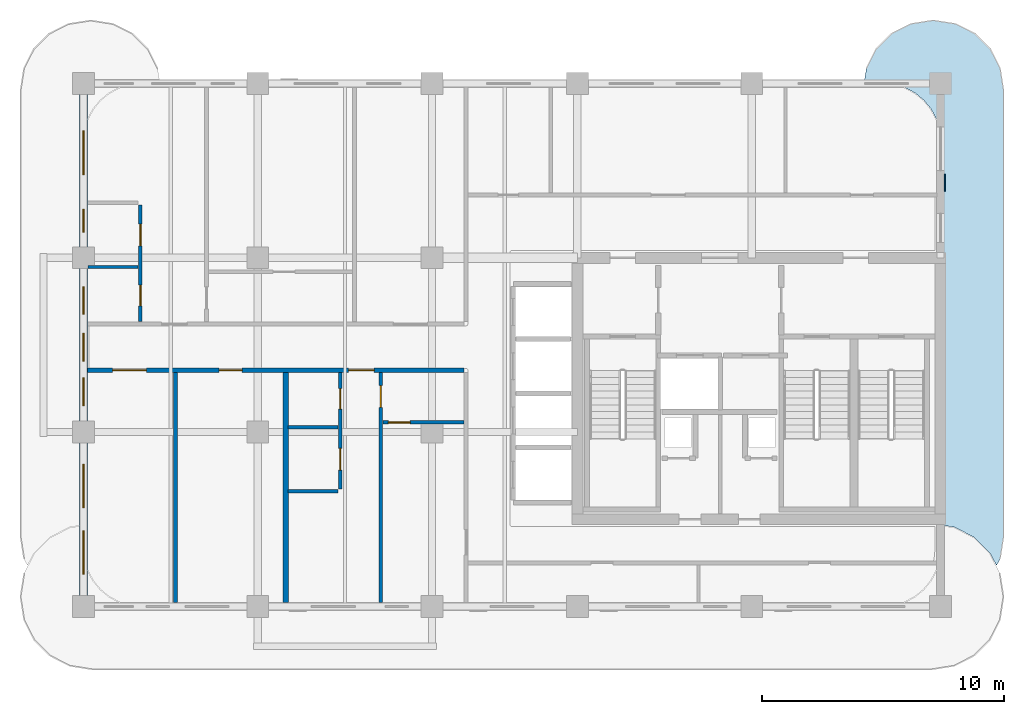
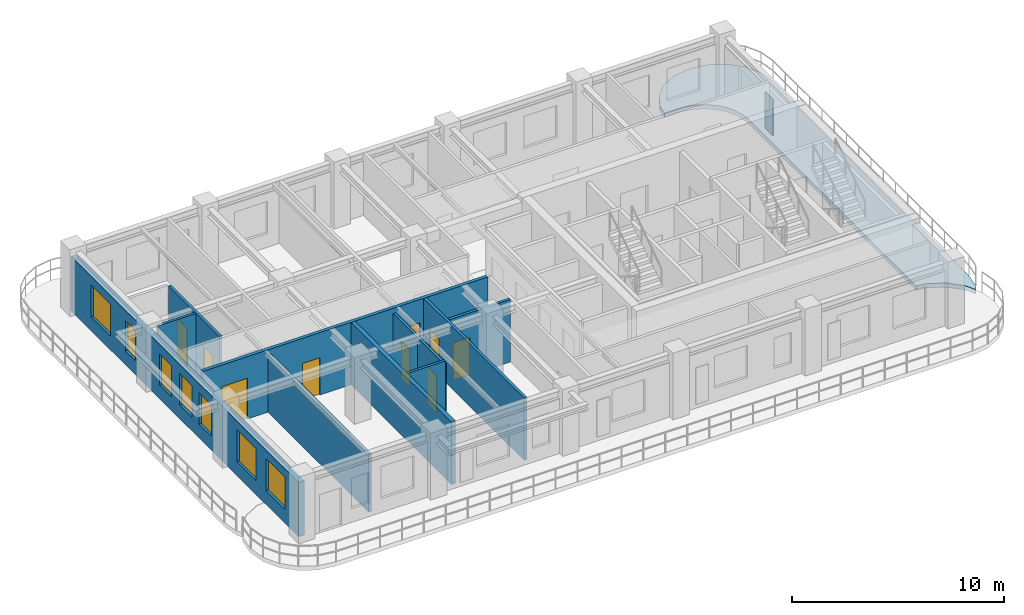
# One storey, part 2 of 8: 11 walls, 9 doors, 7 windows, 1 plate, 1 slab, 16 openings.
"""IFC4 building model written with IfcOpenShell, lengths in metres."""

from ifc_helpers import new_model, si_unit, derived_unit, direction, frame, frame_2d, origin, origin_2d, place, context, subcontext, project, spatial, polyline, rectangle, outline, extrude, source, transform, mapped, material, layer, layer_set, type_object, type_shapes, element, fill, save


model = new_model("IFC4")

# Units and contexts
model_context = context("Model", 3, precision=1e-05, world=origin(), true_north=direction((0.0, 1.0)))
body_context = subcontext(model_context, "Body", "Model", "MODEL_VIEW")
ifc_project = project(units=[si_unit("LENGTHUNIT", "METRE"), si_unit("AREAUNIT", "SQUARE_METRE"), si_unit("VOLUMEUNIT", "CUBIC_METRE"), si_unit("PLANEANGLEUNIT", "RADIAN"), si_unit("MASSUNIT", "GRAM", prefix="KILO"), si_unit("THERMODYNAMICTEMPERATUREUNIT", "KELVIN"), si_unit("POWERUNIT", "WATT"), derived_unit("THERMALTRANSMITTANCEUNIT", [(si_unit("POWERUNIT", "WATT"), 1), (si_unit("AREAUNIT", "SQUARE_METRE"), -1), (si_unit("THERMODYNAMICTEMPERATUREUNIT", "KELVIN"), -1)])], contexts=[model_context])

# Site, building, storey
site_placement = place(None, origin())
site = spatial("IfcSite", under=ifc_project, at=site_placement, CompositionType="ELEMENT")
building_placement = place(site_placement, origin())
building = spatial("IfcBuilding", under=site, at=building_placement, Name="Zahravan Archway Hotel and Residences", CompositionType="ELEMENT")
storey_placement = place(building_placement, frame((0.0, 0.0, 232.699951171875)))
storey = spatial("IfcBuildingStorey", under=building, at=storey_placement, Name="L58", CompositionType="ELEMENT", Elevation=232.699951171875)

# Slab
ifc_material_1 = material(Name="Concrete C45/55", Category="concrete")
ifc_layer_1 = layer(ifc_material_1, 0.25, Name="Concrete C45/55", Category="concrete")
ifc_layer_set_1 = layer_set([ifc_layer_1], Name="Concrete C45/55")
slab_type = type_object("IfcSlabType", Name="SLB-BALC-250", PredefinedType="FLOOR", material=ifc_layer_set_1)
slab_placement = place(storey_placement, frame((0.0, 0.0, -0.25)))
element("IfcSlab", 1, at=slab_placement, inside=storey, type_object=slab_type, Name="L58 Wing A East Rounded Balcony Band", PredefinedType="FLOOR", context=body_context, shape_type="SweptSolid", body=[
    extrude(outline(polyline([(46.739501953125, 22.230712890625), (47.144287109375, 23.025146484375), (47.77490234375, 23.65576171875), (48.5693359375, 24.060546875), (49.449951171875, 24.199951171875), (49.550048828125, 24.199951171875), (50.4306640625, 24.060546875), (51.22509765625, 23.65576171875), (51.855712890625, 23.025146484375), (52.260498046875, 22.230712890625), (52.39990234375, 21.35009765625), (52.39990234375, 2.85009765625), (52.260498046875, 1.96923828125), (52.114501953125, 1.6826171875), (51.8544921875, 2.193115234375), (51.853515625, 2.19482421875), (51.85205078125, 2.196533203125), (51.8505859375, 2.197998046875), (51.197998046875, 2.8505859375), (51.196533203125, 2.85205078125), (51.19482421875, 2.853515625), (51.193115234375, 2.8544921875), (50.37060546875, 3.2734375), (50.368896484375, 3.2744140625), (50.36669921875, 3.27490234375), (50.36474609375, 3.275390625), (49.822998046875, 3.361083984375), (49.8212890625, 3.361328125), (49.820068359375, 3.361328125), (49.820068359375, 19.199951171875), (49.81982421875, 19.201904296875), (49.773681640625, 19.670166015625), (49.7734375, 19.672119140625), (49.77294921875, 19.674072265625), (49.636474609375, 20.124267578125), (49.6357421875, 20.126220703125), (49.635009765625, 20.127685546875), (49.4130859375, 20.542724609375), (49.412109375, 20.54443359375), (49.410888671875, 20.546142578125), (49.112548828125, 20.909912109375), (49.111083984375, 20.9111328125), (49.10986328125, 20.91259765625), (48.74609375, 21.2109375), (48.744384765625, 21.212158203125), (48.742919921875, 21.213134765625), (48.327880859375, 21.434814453125), (48.326171875, 21.435791015625), (48.32421875, 21.436279296875), (47.8740234375, 21.572998046875), (47.8720703125, 21.573486328125), (47.8701171875, 21.57373046875), (47.402099609375, 21.619873046875), (47.39990234375, 21.6201171875), (46.642822265625, 21.6201171875), (46.739501953125, 22.230712890625)])), origin(), (0.0, 0.0, 1.0), 0.25),
])

# Plate
ifc_material_2 = material(Name="Perforated Cast Bronze Jali Lattice")
ifc_layer_2 = layer(ifc_material_2, 0.044921875, Name="Perforated Cast Bronze Jali Lattice")
ifc_layer_set_2 = layer_set([ifc_layer_2], Name="Perforated Cast Bronze Jali Lattice")
plate_type = type_object("IfcPlateType", Name="PLT-JALI-BAY", PredefinedType="USERDEFINED", material=ifc_layer_set_2)
shared_shape_1 = source(origin(), body_context, "Body", "SweptSolid", [
    extrude(rectangle(XDim=0.699951171875, YDim=0.044921875, at=origin_2d()), origin(), (0.0, 0.0, 1.0), 2.10009765625),
])
type_shapes(plate_type, [shared_shape_1])
plate_placement = place(storey_placement, frame((49.97802734375, 17.509033203125, 0.25), z_axis=(0.0, 0.0, 1.0), x_axis=(0.0, 1.0, 0.0)))
element("IfcPlate", 2, at=plate_placement, inside=storey, type_object=plate_type, Name="L58 Perforated Bronze Jali Pier Screen 05", ObjectType="SCREEN", PredefinedType="USERDEFINED", context=body_context, shape_type="MappedRepresentation", body=[
    mapped(shared_shape_1, transform((0.0, 0.0, 0.0), scale=1.0)),
])

# Wall, openings, windows
ifc_material_3 = material(Name="Agra Buff Sandstone & Insulated Backup", Category="masonry")
ifc_layer_3 = layer(ifc_material_3, 0.320068359375, Name="Agra Buff Sandstone & Insulated Backup", Category="masonry")
ifc_layer_set_3 = layer_set([ifc_layer_3], Name="Agra Buff Sandstone & Insulated Backup")
wall_type_1 = type_object("IfcWallType", Name="EW-SAND-320", PredefinedType="SOLIDWALL", material=ifc_layer_set_3)
wall_1_placement = place(storey_placement, frame((14.39990234375, 0.050048828125, 0.0), z_axis=(0.0, 0.0, 1.0), x_axis=(0.0, 1.0, 0.0)))
wall_1 = element("IfcWall", 3, at=wall_1_placement, inside=storey, type_object=wall_type_1, Name="L58 Exterior Sandstone Wall WA-W", PredefinedType="SOLIDWALL", context=body_context, shape_type="SweptSolid", body=[
    extrude(rectangle(XDim=21.5, YDim=0.320068359375, at=frame_2d((10.75, 0.0))), origin(), (0.0, 0.0, 1.0), 3.135009765625),
])
opening_1_placement = place(wall_1_placement, frame((1.27490234375, 0.0, 0.800048828125)))
opening_1 = element("IfcOpeningElement", 4, at=opening_1_placement, cuts=wall_1, Name="Opening W-02", PredefinedType="OPENING", context=body_context, shape_type="SweptSolid", body=[
    extrude(rectangle(XDim=1.800048828125, YDim=1.85009765625, at=frame_2d((0.89990234375, 0.925048828125))), frame((0.0, 0.169921875, 0.0), z_axis=(0.0, -1.0, 0.0), x_axis=(1.0, 0.0, 0.0)), (0.0, 0.0, 1.0), 0.340087890625),
])
opening_2_placement = place(wall_1_placement, frame((4.02490234375, 0.0, 0.800048828125)))
opening_2 = element("IfcOpeningElement", 5, at=opening_2_placement, cuts=wall_1, Name="Opening W-02", PredefinedType="OPENING", context=body_context, shape_type="SweptSolid", body=[
    extrude(rectangle(XDim=1.800048828125, YDim=1.85009765625, at=frame_2d((0.89990234375, 0.925048828125))), frame((0.0, 0.169921875, 0.0), z_axis=(0.0, -1.0, 0.0), x_axis=(1.0, 0.0, 0.0)), (0.0, 0.0, 1.0), 0.340087890625),
])
opening_3_placement = place(wall_1_placement, frame((8.24609375, 0.0, 0.800048828125)))
opening_3 = element("IfcOpeningElement", 6, at=opening_3_placement, cuts=wall_1, Name="Opening W-05", PredefinedType="OPENING", context=body_context, shape_type="SweptSolid", body=[
    extrude(rectangle(XDim=1.14990234375, YDim=1.800048828125, at=frame_2d((0.574951171875, 0.89990234375))), frame((0.0, 0.169921875, 0.0), z_axis=(0.0, -1.0, 0.0), x_axis=(1.0, 0.0, 0.0)), (0.0, 0.0, 1.0), 0.340087890625),
])
opening_4_placement = place(wall_1_placement, frame((10.0849609375, 0.0, 0.800048828125)))
opening_4 = element("IfcOpeningElement", 7, at=opening_4_placement, cuts=wall_1, Name="Opening W-05", PredefinedType="OPENING", context=body_context, shape_type="SweptSolid", body=[
    extrude(rectangle(XDim=1.14990234375, YDim=1.800048828125, at=frame_2d((0.574951171875, 0.89990234375))), frame((0.0, 0.169921875, 0.0), z_axis=(0.0, -1.0, 0.0), x_axis=(1.0, 0.0, 0.0)), (0.0, 0.0, 1.0), 0.340087890625),
])
opening_5_placement = place(wall_1_placement, frame((12.013916015625, 0.0, 0.800048828125)))
opening_5 = element("IfcOpeningElement", 8, at=opening_5_placement, cuts=wall_1, Name="Opening W-05", PredefinedType="OPENING", context=body_context, shape_type="SweptSolid", body=[
    extrude(rectangle(XDim=1.14990234375, YDim=1.800048828125, at=frame_2d((0.574951171875, 0.89990234375))), frame((0.0, 0.169921875, 0.0), z_axis=(0.0, -1.0, 0.0), x_axis=(1.0, 0.0, 0.0)), (0.0, 0.0, 1.0), 0.340087890625),
])
opening_6_placement = place(wall_1_placement, frame((15.406005859375, 0.0, 0.800048828125)))
opening_6 = element("IfcOpeningElement", 9, at=opening_6_placement, cuts=wall_1, Name="Opening W-04", PredefinedType="OPENING", context=body_context, shape_type="SweptSolid", body=[
    extrude(rectangle(XDim=0.949951171875, YDim=1.75, at=frame_2d((0.47509765625, 0.875))), frame((0.0, 0.169921875, 0.0), z_axis=(0.0, -1.0, 0.0), x_axis=(1.0, 0.0, 0.0)), (0.0, 0.0, 1.0), 0.340087890625),
])
opening_7_placement = place(wall_1_placement, frame((17.7890625, 0.0, 0.800048828125)))
opening_7 = element("IfcOpeningElement", 10, at=opening_7_placement, cuts=wall_1, Name="Opening W-02", PredefinedType="OPENING", context=body_context, shape_type="SweptSolid", body=[
    extrude(rectangle(XDim=1.800048828125, YDim=1.85009765625, at=frame_2d((0.89990234375, 0.925048828125))), frame((0.0, 0.169921875, 0.0), z_axis=(0.0, -1.0, 0.0), x_axis=(1.0, 0.0, 0.0)), (0.0, 0.0, 1.0), 0.340087890625),
])
ifc_material_4 = material(Name="Bronze-Anodized Thermal-Break Aluminium & Low-E Glass", Category="aluminium")
window_type_1 = type_object("IfcWindowType", Name="WIN-NAR-950", PartitioningType="SINGLE_PANEL", PredefinedType="WINDOW", material=ifc_material_4)
shared_shape_2 = source(origin(), body_context, "Body", "SweptSolid", [
    extrude(rectangle(XDim=0.949951171875, YDim=1.75, at=frame_2d((0.47509765625, 0.875))), frame((0.0, 0.030029296875, 0.0), z_axis=(0.0, -1.0, 0.0), x_axis=(1.0, 0.0, 0.0)), (0.0, 0.0, 1.0), 0.06005859375),
])
type_shapes(window_type_1, [shared_shape_2])
window_1_placement = place(opening_6_placement, origin())
window_1 = element("IfcWindow", 11, at=window_1_placement, inside=storey, type_object=window_type_1, Name="L58 Loggia Window 25", OverallHeight=1.75, OverallWidth=0.949951171875, PartitioningType="SINGLE_PANEL", PredefinedType="WINDOW", context=body_context, shape_type="MappedRepresentation", body=[
    mapped(shared_shape_2, transform((0.0, 0.0, 0.0), scale=1.0)),
])
fill(opening_6, window_1)
window_type_2 = type_object("IfcWindowType", Name="WIN-TWR-1800", PartitioningType="DOUBLE_PANEL_VERTICAL", PredefinedType="WINDOW", material=ifc_material_4)
shared_shape_3 = source(origin(), body_context, "Body", "SweptSolid", [
    extrude(rectangle(XDim=1.800048828125, YDim=1.85009765625, at=frame_2d((0.89990234375, 0.925048828125))), frame((0.0, 0.030029296875, 0.0), z_axis=(0.0, -1.0, 0.0), x_axis=(1.0, 0.0, 0.0)), (0.0, 0.0, 1.0), 0.06005859375),
])
type_shapes(window_type_2, [shared_shape_3])
window_2_placement = place(opening_1_placement, origin())
window_2 = element("IfcWindow", 12, at=window_2_placement, inside=storey, type_object=window_type_2, Name="L58 Loggia Window 20", OverallHeight=1.85009765625, OverallWidth=1.800048828125, PartitioningType="DOUBLE_PANEL_VERTICAL", PredefinedType="WINDOW", context=body_context, shape_type="MappedRepresentation", body=[
    mapped(shared_shape_3, transform((0.0, 0.0, 0.0), scale=1.0)),
])
fill(opening_1, window_2)
window_3_placement = place(opening_2_placement, origin())
window_3 = element("IfcWindow", 13, at=window_3_placement, inside=storey, type_object=window_type_2, Name="L58 Loggia Window 21", OverallHeight=1.85009765625, OverallWidth=1.800048828125, PartitioningType="DOUBLE_PANEL_VERTICAL", PredefinedType="WINDOW", context=body_context, shape_type="MappedRepresentation", body=[
    mapped(shared_shape_3, transform((0.0, 0.0, 0.0), scale=1.0)),
])
fill(opening_2, window_3)
window_4_placement = place(opening_7_placement, origin())
window_4 = element("IfcWindow", 14, at=window_4_placement, inside=storey, type_object=window_type_2, Name="L58 Loggia Window 26", OverallHeight=1.85009765625, OverallWidth=1.800048828125, PartitioningType="DOUBLE_PANEL_VERTICAL", PredefinedType="WINDOW", context=body_context, shape_type="MappedRepresentation", body=[
    mapped(shared_shape_3, transform((0.0, 0.0, 0.0), scale=1.0)),
])
fill(opening_7, window_4)
window_type_3 = type_object("IfcWindowType", Name="WIN-TWR-1150", PartitioningType="SINGLE_PANEL", PredefinedType="WINDOW", material=ifc_material_4)
shared_shape_4 = source(origin(), body_context, "Body", "SweptSolid", [
    extrude(rectangle(XDim=1.14990234375, YDim=1.800048828125, at=frame_2d((0.574951171875, 0.89990234375))), frame((0.0, 0.030029296875, 0.0), z_axis=(0.0, -1.0, 0.0), x_axis=(1.0, 0.0, 0.0)), (0.0, 0.0, 1.0), 0.06005859375),
])
type_shapes(window_type_3, [shared_shape_4])
window_5_placement = place(opening_3_placement, origin())
window_5 = element("IfcWindow", 15, at=window_5_placement, inside=storey, type_object=window_type_3, Name="L58 Loggia Window 22", OverallHeight=1.800048828125, OverallWidth=1.14990234375, PartitioningType="SINGLE_PANEL", PredefinedType="WINDOW", context=body_context, shape_type="MappedRepresentation", body=[
    mapped(shared_shape_4, transform((0.0, 0.0, 0.0), scale=1.0)),
])
fill(opening_3, window_5)
window_6_placement = place(opening_4_placement, origin())
window_6 = element("IfcWindow", 16, at=window_6_placement, inside=storey, type_object=window_type_3, Name="L58 Loggia Window 23", OverallHeight=1.800048828125, OverallWidth=1.14990234375, PartitioningType="SINGLE_PANEL", PredefinedType="WINDOW", context=body_context, shape_type="MappedRepresentation", body=[
    mapped(shared_shape_4, transform((0.0, 0.0, 0.0), scale=1.0)),
])
fill(opening_4, window_6)
window_7_placement = place(opening_5_placement, origin())
window_7 = element("IfcWindow", 17, at=window_7_placement, inside=storey, type_object=window_type_3, Name="L58 Loggia Window 24", OverallHeight=1.800048828125, OverallWidth=1.14990234375, PartitioningType="SINGLE_PANEL", PredefinedType="WINDOW", context=body_context, shape_type="MappedRepresentation", body=[
    mapped(shared_shape_4, transform((0.0, 0.0, 0.0), scale=1.0)),
])
fill(opening_5, window_7)

# Wall
ifc_material_5 = material(Name="Fire-Rated Gypsum & Concrete Block", Category="concrete")
ifc_layer_4 = layer(ifc_material_5, 0.219970703125, Name="Fire-Rated Gypsum & Concrete Block", Category="concrete")
ifc_layer_set_4 = layer_set([ifc_layer_4], Name="Fire-Rated Gypsum & Concrete Block")
wall_type_2 = type_object("IfcWallType", Name="PW-COMP-220", PredefinedType="PARTITIONING", material=ifc_layer_set_4)
wall_2_placement = place(storey_placement, frame((22.75, 0.16796875, 0.0), z_axis=(0.0, 0.0, 1.0), x_axis=(0.0, 1.0, 0.0)))
element("IfcWall", 18, at=wall_2_placement, inside=storey, type_object=wall_type_2, Name="L58 Partition WAS-R2B", PredefinedType="PARTITIONING", context=body_context, shape_type="SweptSolid", body=[
    extrude(rectangle(XDim=9.491943359375, YDim=0.219970703125, at=frame_2d((4.74609375, 0.0))), origin(), (0.0, 0.0, 1.0), 3.60009765625),
])

# Wall, openings, doors
ifc_layer_5 = layer(ifc_material_5, 0.179931640625, Name="Fire-Rated Gypsum & Concrete Block", Category="concrete")
ifc_layer_set_5 = layer_set([ifc_layer_5], Name="Fire-Rated Gypsum & Concrete Block")
wall_type_3 = type_object("IfcWallType", Name="PW-CORR-180", PredefinedType="PARTITIONING", material=ifc_layer_set_5)
wall_3_placement = place(storey_placement, frame((14.568115234375, 9.75, 0.0), z_axis=(0.0, 0.0, 1.0), x_axis=(1.0, 0.0, 0.0)))
wall_3 = element("IfcWall", 19, at=wall_3_placement, inside=storey, type_object=wall_type_3, Name="L58 Partition WA-CS", PredefinedType="PARTITIONING", context=body_context, shape_type="SweptSolid", body=[
    extrude(rectangle(XDim=15.5419921875, YDim=0.179931640625, at=frame_2d((7.77099609375, 0.0))), origin(), (0.0, 0.0, 1.0), 3.60009765625),
])
opening_8_placement = place(wall_3_placement, frame((1.031982421875, 0.0, 0.0)))
opening_8 = element("IfcOpeningElement", 20, at=opening_8_placement, cuts=wall_3, Name="Opening D-P1", PredefinedType="OPENING", context=body_context, shape_type="SweptSolid", body=[
    extrude(rectangle(XDim=1.39990234375, YDim=2.35009765625, at=frame_2d((0.699951171875, 1.175048828125))), frame((0.0, 0.10009765625, 0.0), z_axis=(0.0, -1.0, 0.0), x_axis=(1.0, 0.0, 0.0)), (0.0, 0.0, 1.0), 0.199951171875),
])
opening_9_placement = place(wall_3_placement, frame((5.431884765625, 0.0, 0.0)))
opening_9 = element("IfcOpeningElement", 21, at=opening_9_placement, cuts=wall_3, Name="Opening D-I1", PredefinedType="OPENING", context=body_context, shape_type="SweptSolid", body=[
    extrude(rectangle(XDim=0.949951171875, YDim=2.14990234375, at=frame_2d((0.47509765625, 1.074951171875))), frame((0.0, 0.10009765625, 0.0), z_axis=(0.0, -1.0, 0.0), x_axis=(1.0, 0.0, 0.0)), (0.0, 0.0, 1.0), 0.199951171875),
])
opening_10_placement = place(wall_3_placement, frame((10.787109375, 0.0, 0.0)))
opening_10 = element("IfcOpeningElement", 22, at=opening_10_placement, cuts=wall_3, Name="Opening D-U1", PredefinedType="OPENING", context=body_context, shape_type="SweptSolid", body=[
    extrude(rectangle(XDim=1.050048828125, YDim=2.25, at=frame_2d((0.52490234375, 1.125))), frame((0.0, 0.10009765625, 0.0), z_axis=(0.0, -1.0, 0.0), x_axis=(1.0, 0.0, 0.0)), (0.0, 0.0, 1.0), 0.199951171875),
])
ifc_material_6 = material(Name="Bronze-Anodized Glazed Aluminium", Category="aluminium")
door_type_1 = type_object("IfcDoorType", Name="ID-PUBLIC-1400", OperationType="DOUBLE_DOOR_SINGLE_SWING", PredefinedType="DOOR", material=ifc_material_6)
shared_shape_5 = source(origin(), body_context, "Body", "SweptSolid", [
    extrude(rectangle(XDim=1.39990234375, YDim=2.35009765625, at=frame_2d((0.699951171875, 1.175048828125))), frame((0.0, 0.02490234375, 0.0), z_axis=(0.0, -1.0, 0.0), x_axis=(1.0, 0.0, 0.0)), (0.0, 0.0, 1.0), 0.050048828125),
])
type_shapes(door_type_1, [shared_shape_5])
door_1_placement = place(opening_8_placement, origin())
door_1 = element("IfcDoor", 23, at=door_1_placement, inside=storey, type_object=door_type_1, Name="L58 Cinema Salon Door", OperationType="DOUBLE_DOOR_SINGLE_SWING", OverallHeight=2.35009765625, OverallWidth=1.39990234375, PredefinedType="DOOR", context=body_context, shape_type="MappedRepresentation", body=[
    mapped(shared_shape_5, transform((0.0, 0.0, 0.0), scale=1.0)),
])
fill(opening_8, door_1)
ifc_material_7 = material(Name="Hardwood Veneer Timber", Category="wood")
door_type_2 = type_object("IfcDoorType", Name="ID-INT-950", OperationType="NOTDEFINED", PredefinedType="DOOR", material=ifc_material_7)
shared_shape_6 = source(origin(), body_context, "Body", "SweptSolid", [
    extrude(rectangle(XDim=0.949951171875, YDim=2.14990234375, at=frame_2d((0.47509765625, 1.074951171875))), frame((0.0, 0.02490234375, 0.0), z_axis=(0.0, -1.0, 0.0), x_axis=(1.0, 0.0, 0.0)), (0.0, 0.0, 1.0), 0.050048828125),
])
type_shapes(door_type_2, [shared_shape_6])
door_2_placement = place(opening_9_placement, origin())
door_2 = element("IfcDoor", 24, at=door_2_placement, inside=storey, type_object=door_type_2, Name="L58 Study Office Door", OperationType="SINGLE_SWING_LEFT", OverallHeight=2.14990234375, OverallWidth=0.949951171875, PredefinedType="DOOR", context=body_context, shape_type="MappedRepresentation", body=[
    mapped(shared_shape_6, transform((0.0, 0.0, 0.0), scale=1.0)),
])
fill(opening_9, door_2)
door_type_3 = type_object("IfcDoorType", Name="ID-UNIT-1050", OperationType="NOTDEFINED", PredefinedType="DOOR", material=ifc_material_7)
shared_shape_7 = source(origin(), body_context, "Body", "SweptSolid", [
    extrude(rectangle(XDim=1.050048828125, YDim=2.25, at=frame_2d((0.52490234375, 1.125))), frame((0.0, 0.02490234375, 0.0), z_axis=(0.0, -1.0, 0.0), x_axis=(1.0, 0.0, 0.0)), (0.0, 0.0, 1.0), 0.050048828125),
])
type_shapes(door_type_3, [shared_shape_7])
door_3_placement = place(opening_10_placement, origin())
door_3 = element("IfcDoor", 25, at=door_3_placement, inside=storey, type_object=door_type_3, Name="L58 Flat S1 Entrance Door", OperationType="SINGLE_SWING_RIGHT", OverallHeight=2.25, OverallWidth=1.050048828125, PredefinedType="DOOR", context=body_context, shape_type="MappedRepresentation", body=[
    mapped(shared_shape_7, transform((0.0, 0.0, 0.0), scale=1.0)),
])
fill(opening_10, door_3)

# Wall, opening, door
ifc_material_8 = material(Name="Acoustic Stud Partition")
ifc_layer_6 = layer(ifc_material_8, 0.14990234375, Name="Acoustic Stud Partition")
ifc_layer_set_6 = layer_set([ifc_layer_6], Name="Acoustic Stud Partition")
wall_type_4 = type_object("IfcWallType", Name="PW-UNIT-150", PredefinedType="PARTITIONING", material=ifc_layer_set_6)
wall_4_placement = place(storey_placement, frame((26.679931640625, 0.16796875, 0.0), z_axis=(0.0, 0.0, 1.0), x_axis=(0.0, 1.0, 0.0)))
wall_4 = element("IfcWall", 26, at=wall_4_placement, inside=storey, type_object=wall_type_4, Name="L58 Partition FL-S1-SP", PredefinedType="PARTITIONING", context=body_context, shape_type="SweptSolid", body=[
    extrude(rectangle(XDim=9.491943359375, YDim=0.14990234375, at=frame_2d((4.74609375, 0.0))), origin(), (0.0, 0.0, 1.0), 3.60009765625),
])
opening_11_placement = place(wall_4_placement, frame((8.056884765625, 0.0, 0.0)))
opening_11 = element("IfcOpeningElement", 27, at=opening_11_placement, cuts=wall_4, Name="Opening D-I2", PredefinedType="OPENING", context=body_context, shape_type="SweptSolid", body=[
    extrude(rectangle(XDim=0.89990234375, YDim=2.14990234375, at=frame_2d((0.449951171875, 1.074951171875))), frame((0.0, 0.0849609375, 0.0), z_axis=(0.0, -1.0, 0.0), x_axis=(1.0, 0.0, 0.0)), (0.0, 0.0, 1.0), 0.169921875),
])
door_type_4 = type_object("IfcDoorType", Name="ID-INT-900", OperationType="NOTDEFINED", PredefinedType="DOOR", material=ifc_material_7)
shared_shape_8 = source(origin(), body_context, "Body", "SweptSolid", [
    extrude(rectangle(XDim=0.89990234375, YDim=2.14990234375, at=frame_2d((0.449951171875, 1.074951171875))), frame((0.0, 0.02490234375, 0.0), z_axis=(0.0, -1.0, 0.0), x_axis=(1.0, 0.0, 0.0)), (0.0, 0.0, 1.0), 0.050048828125),
])
type_shapes(door_type_4, [shared_shape_8])
door_4_placement = place(opening_11_placement, origin())
door_4 = element("IfcDoor", 28, at=door_4_placement, inside=storey, type_object=door_type_4, Name="L58 Flat S1 Bedroom Hall Door", OperationType="SINGLE_SWING_LEFT", OverallHeight=2.14990234375, OverallWidth=0.89990234375, PredefinedType="DOOR", context=body_context, shape_type="MappedRepresentation", body=[
    mapped(shared_shape_8, transform((0.0, 0.0, 0.0), scale=1.0)),
])
fill(opening_11, door_4)

wall_5_placement = place(storey_placement, frame((26.77001953125, 7.60009765625, 0.0), z_axis=(0.0, 0.0, 1.0), x_axis=(1.0, 0.0, 0.0)))
wall_5 = element("IfcWall", 29, at=wall_5_placement, inside=storey, type_object=wall_type_4, Name="L58 Partition FL-S1-GH", PredefinedType="PARTITIONING", context=body_context, shape_type="SweptSolid", body=[
    extrude(rectangle(XDim=3.340087890625, YDim=0.14990234375, at=frame_2d((1.669921875, 0.0))), origin(), (0.0, 0.0, 1.0), 3.60009765625),
])
opening_12_placement = place(wall_5_placement, frame((0.22509765625, 0.0, 0.0)))
opening_12 = element("IfcOpeningElement", 30, at=opening_12_placement, cuts=wall_5, Name="Opening D-I2", PredefinedType="OPENING", context=body_context, shape_type="SweptSolid", body=[
    extrude(rectangle(XDim=0.89990234375, YDim=2.14990234375, at=frame_2d((0.449951171875, 1.074951171875))), frame((0.0, 0.0849609375, 0.0), z_axis=(0.0, -1.0, 0.0), x_axis=(1.0, 0.0, 0.0)), (0.0, 0.0, 1.0), 0.169921875),
])
door_5_placement = place(opening_12_placement, origin())
door_5 = element("IfcDoor", 31, at=door_5_placement, inside=storey, type_object=door_type_4, Name="L58 Flat S1 Bedroom 1 Door", OperationType="SINGLE_SWING_LEFT", OverallHeight=2.14990234375, OverallWidth=0.89990234375, PredefinedType="DOOR", context=body_context, shape_type="MappedRepresentation", body=[
    mapped(shared_shape_8, transform((0.0, 0.0, 0.0), scale=1.0)),
])
fill(opening_12, door_5)

# Wall
ifc_layer_7 = layer(ifc_material_8, 0.169921875, Name="Acoustic Stud Partition")
ifc_layer_set_7 = layer_set([ifc_layer_7], Name="Acoustic Stud Partition")
wall_type_5 = type_object("IfcWallType", Name="PW-UNIT-170", PredefinedType="PARTITIONING", material=ifc_layer_set_7)
wall_6_placement = place(storey_placement, frame((18.199951171875, 0.16796875, 0.0), z_axis=(0.0, 0.0, 1.0), x_axis=(0.0, 1.0, 0.0)))
element("IfcWall", 32, at=wall_6_placement, inside=storey, type_object=wall_type_5, Name="L58 Partition WAS-R2A", PredefinedType="PARTITIONING", context=body_context, shape_type="SweptSolid", body=[
    extrude(rectangle(XDim=9.491943359375, YDim=0.169921875, at=frame_2d((4.74609375, 0.0))), origin(), (0.0, 0.0, 1.0), 3.31494140625),
])

# Wall, openings, doors
ifc_material_9 = material(Name="Moisture-Resistant Blockwork", Category="masonry")
ifc_layer_8 = layer(ifc_material_9, 0.139892578125, Name="Moisture-Resistant Blockwork", Category="masonry")
ifc_layer_set_8 = layer_set([ifc_layer_8], Name="Moisture-Resistant Blockwork")
wall_type_6 = type_object("IfcWallType", Name="PW-WET-140", PredefinedType="PARTITIONING", material=ifc_layer_set_8)
wall_7_placement = place(storey_placement, frame((25.0, 4.840087890625, 0.0), z_axis=(0.0, 0.0, 1.0), x_axis=(0.0, 1.0, 0.0)))
wall_7 = element("IfcWall", 33, at=wall_7_placement, inside=storey, type_object=wall_type_6, Name="L58 Partition FL-S1-BV", PredefinedType="PARTITIONING", context=body_context, shape_type="SweptSolid", body=[
    extrude(rectangle(XDim=4.81982421875, YDim=0.139892578125, at=frame_2d((2.409912109375, 0.0))), origin(), (0.0, 0.0, 1.0), 3.31494140625),
])
opening_13_placement = place(wall_7_placement, frame((0.784912109375, 0.0, 0.0)))
opening_13 = element("IfcOpeningElement", 34, at=opening_13_placement, cuts=wall_7, Name="Opening D-I2", PredefinedType="OPENING", context=body_context, shape_type="SweptSolid", body=[
    extrude(rectangle(XDim=0.89990234375, YDim=2.14990234375, at=frame_2d((0.449951171875, 1.074951171875))), frame((0.0, 0.080078125, 0.0), z_axis=(0.0, -1.0, 0.0), x_axis=(1.0, 0.0, 0.0)), (0.0, 0.0, 1.0), 0.159912109375),
])
opening_14_placement = place(wall_7_placement, frame((3.31005859375, 0.0, 0.0)))
opening_14 = element("IfcOpeningElement", 35, at=opening_14_placement, cuts=wall_7, Name="Opening D-B1", PredefinedType="OPENING", context=body_context, shape_type="SweptSolid", body=[
    extrude(rectangle(XDim=0.85009765625, YDim=2.10009765625, at=frame_2d((0.425048828125, 1.050048828125))), frame((0.0, 0.080078125, 0.0), z_axis=(0.0, -1.0, 0.0), x_axis=(1.0, 0.0, 0.0)), (0.0, 0.0, 1.0), 0.159912109375),
])
door_type_5 = type_object("IfcDoorType", Name="ID-BATH-850", OperationType="NOTDEFINED", PredefinedType="DOOR", material=ifc_material_7)
shared_shape_9 = source(origin(), body_context, "Body", "SweptSolid", [
    extrude(rectangle(XDim=0.85009765625, YDim=2.10009765625, at=frame_2d((0.425048828125, 1.050048828125))), frame((0.0, 0.02490234375, 0.0), z_axis=(0.0, -1.0, 0.0), x_axis=(1.0, 0.0, 0.0)), (0.0, 0.0, 1.0), 0.050048828125),
])
type_shapes(door_type_5, [shared_shape_9])
door_6_placement = place(opening_14_placement, origin())
door_6 = element("IfcDoor", 36, at=door_6_placement, inside=storey, type_object=door_type_5, Name="L58 Flat S1 Bathroom Door", OperationType="SINGLE_SWING_LEFT", OverallHeight=2.10009765625, OverallWidth=0.85009765625, PredefinedType="DOOR", context=body_context, shape_type="MappedRepresentation", body=[
    mapped(shared_shape_9, transform((0.0, 0.0, 0.0), scale=1.0)),
])
fill(opening_14, door_6)
door_7_placement = place(opening_13_placement, origin())
door_7 = element("IfcDoor", 37, at=door_7_placement, inside=storey, type_object=door_type_4, Name="L58 Flat S1 Kitchen Door", OperationType="SINGLE_SWING_RIGHT", OverallHeight=2.14990234375, OverallWidth=0.89990234375, PredefinedType="DOOR", context=body_context, shape_type="MappedRepresentation", body=[
    mapped(shared_shape_8, transform((0.0, 0.0, 0.0), scale=1.0)),
])
fill(opening_13, door_7)

# Walls
wall_8_placement = place(storey_placement, frame((22.840087890625, 7.39990234375, 0.0), z_axis=(0.0, 0.0, 1.0), x_axis=(1.0, 0.0, 0.0)))
element("IfcWall", 38, at=wall_8_placement, inside=storey, type_object=wall_type_6, Name="L58 Partition FL-S1-BM", PredefinedType="PARTITIONING", context=body_context, shape_type="SweptSolid", body=[
    extrude(rectangle(XDim=2.06982421875, YDim=0.139892578125, at=frame_2d((1.034912109375, 0.0))), origin(), (0.0, 0.0, 1.0), 3.135009765625),
])
wall_9_placement = place(storey_placement, frame((22.840087890625, 4.75, 0.0), z_axis=(0.0, 0.0, 1.0), x_axis=(1.0, 0.0, 0.0)))
element("IfcWall", 39, at=wall_9_placement, inside=storey, type_object=wall_type_6, Name="L58 Partition FL-S1-KH", PredefinedType="PARTITIONING", context=body_context, shape_type="SweptSolid", body=[
    extrude(rectangle(XDim=2.06982421875, YDim=0.139892578125, at=frame_2d((1.034912109375, 0.0))), origin(), (0.0, 0.0, 1.0), 3.60009765625),
])

# Wall, openings, doors
wall_10_placement = place(storey_placement, frame((16.75, 11.760009765625, 0.0), z_axis=(0.0, 0.0, 1.0), x_axis=(0.0, 1.0, 0.0)))
wall_10 = element("IfcWall", 40, at=wall_10_placement, inside=storey, type_object=wall_type_6, Name="L58 Partition FL-N1-BV", PredefinedType="PARTITIONING", context=body_context, shape_type="SweptSolid", body=[
    extrude(rectangle(XDim=4.820068359375, YDim=0.139892578125, at=frame_2d((2.41015625, 0.0))), origin(), (0.0, 0.0, 1.0), 3.60009765625),
])
opening_15_placement = place(wall_10_placement, frame((0.659912109375, 0.0, 0.0)))
opening_15 = element("IfcOpeningElement", 41, at=opening_15_placement, cuts=wall_10, Name="Opening D-B1", PredefinedType="OPENING", context=body_context, shape_type="SweptSolid", body=[
    extrude(rectangle(XDim=0.85009765625, YDim=2.10009765625, at=frame_2d((0.425048828125, 1.050048828125))), frame((0.0, 0.080078125, 0.0), z_axis=(0.0, -1.0, 0.0), x_axis=(1.0, 0.0, 0.0)), (0.0, 0.0, 1.0), 0.159912109375),
])
opening_16_placement = place(wall_10_placement, frame((3.135009765625, 0.0, 0.0)))
opening_16 = element("IfcOpeningElement", 42, at=opening_16_placement, cuts=wall_10, Name="Opening D-I2", PredefinedType="OPENING", context=body_context, shape_type="SweptSolid", body=[
    extrude(rectangle(XDim=0.89990234375, YDim=2.14990234375, at=frame_2d((0.449951171875, 1.074951171875))), frame((0.0, 0.080078125, 0.0), z_axis=(0.0, -1.0, 0.0), x_axis=(1.0, 0.0, 0.0)), (0.0, 0.0, 1.0), 0.159912109375),
])
door_8_placement = place(opening_15_placement, origin())
door_8 = element("IfcDoor", 43, at=door_8_placement, inside=storey, type_object=door_type_5, Name="L58 Flat N1 Bathroom Door", OperationType="SINGLE_SWING_LEFT", OverallHeight=2.10009765625, OverallWidth=0.85009765625, PredefinedType="DOOR", context=body_context, shape_type="MappedRepresentation", body=[
    mapped(shared_shape_9, transform((0.0, 0.0, 0.0), scale=1.0)),
])
fill(opening_15, door_8)
door_9_placement = place(opening_16_placement, origin())
door_9 = element("IfcDoor", 44, at=door_9_placement, inside=storey, type_object=door_type_4, Name="L58 Flat N1 Kitchen Door", OperationType="SINGLE_SWING_RIGHT", OverallHeight=2.14990234375, OverallWidth=0.89990234375, PredefinedType="DOOR", context=body_context, shape_type="MappedRepresentation", body=[
    mapped(shared_shape_8, transform((0.0, 0.0, 0.0), scale=1.0)),
])
fill(opening_16, door_9)

# Wall
wall_11_placement = place(storey_placement, frame((14.590087890625, 14.02001953125, 0.0), z_axis=(0.0, 0.0, 1.0), x_axis=(1.0, 0.0, 0.0)))
element("IfcWall", 45, at=wall_11_placement, inside=storey, type_object=wall_type_6, Name="L58 Partition FL-N1-BM", PredefinedType="PARTITIONING", context=body_context, shape_type="SweptSolid", body=[
    extrude(rectangle(XDim=2.06982421875, YDim=0.139892578125, at=frame_2d((1.034912109375, 0.0))), origin(), (0.0, 0.0, 1.0), 3.60009765625),
])

save(model, "model.ifc")
